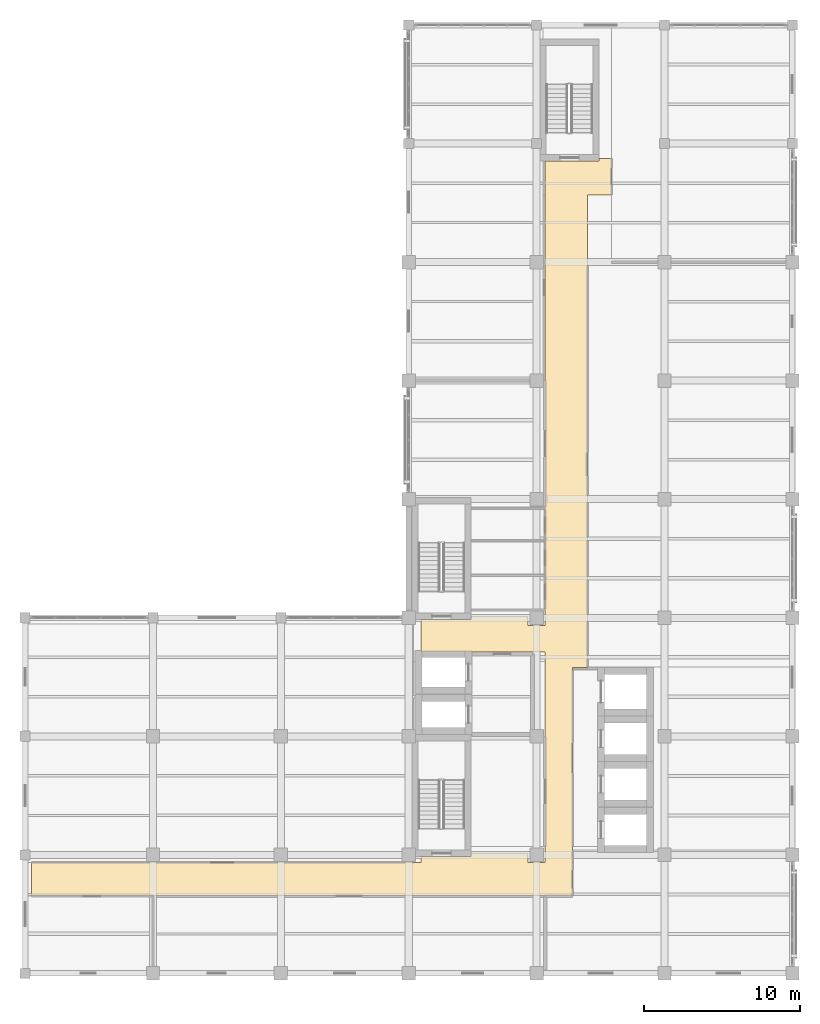
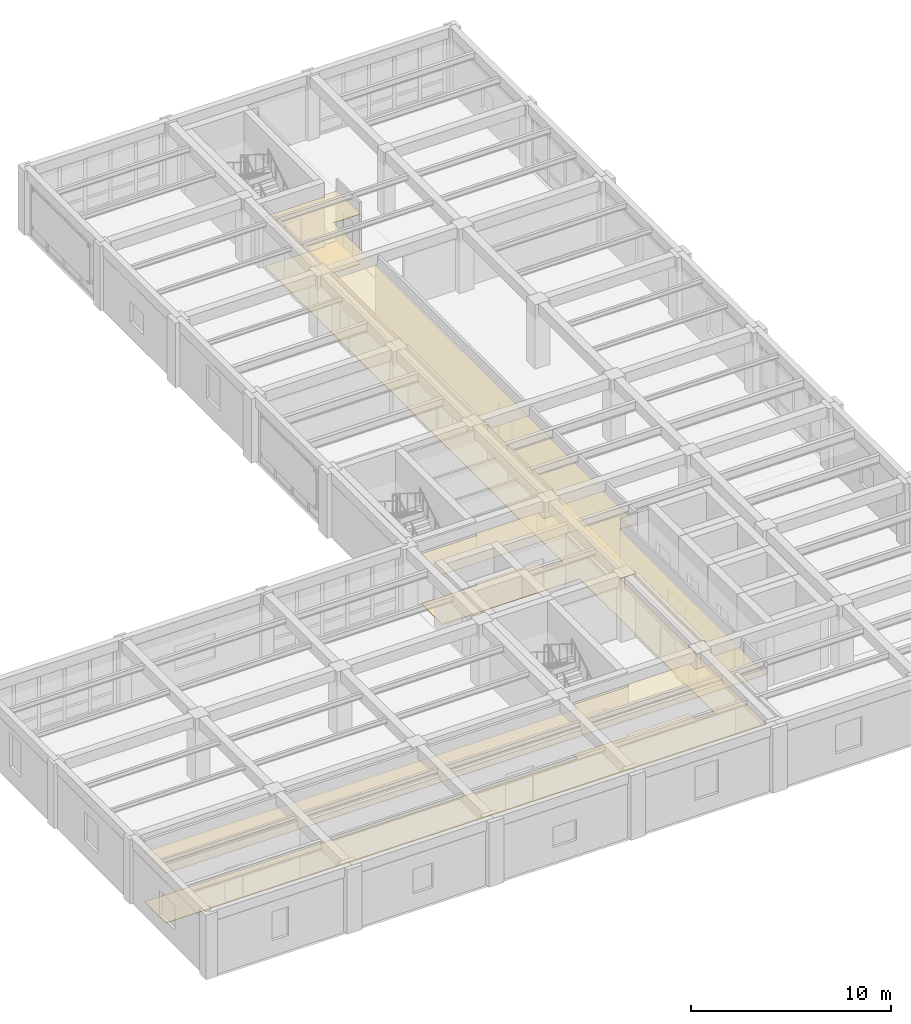
# One storey, part 14 of 17: 2 coverings.
"""IFC4 building model written with IfcOpenShell, lengths in metres."""

from ifc_helpers import new_model, si_unit, direction, frame, origin, place, context, subcontext, project, spatial, polyline, outline, extrude, material, layer, layer_set, type_object, element, save


model = new_model("IFC4")

# Units and contexts
model_context = context("Model", 3, precision=1e-05, world=origin(), true_north=direction((0.0, 1.0)))
body_context = subcontext(model_context, "Body", "Model", "MODEL_VIEW")
ifc_project = project(units=[si_unit("LENGTHUNIT", "METRE"), si_unit("AREAUNIT", "SQUARE_METRE"), si_unit("VOLUMEUNIT", "CUBIC_METRE"), si_unit("PLANEANGLEUNIT", "RADIAN"), si_unit("MASSUNIT", "GRAM", prefix="KILO")], contexts=[model_context])

# Site, building, storey
site_placement = place(None, origin())
site = spatial("IfcSite", under=ifc_project, at=site_placement, CompositionType="ELEMENT")
building_placement = place(site_placement, origin())
building = spatial("IfcBuilding", under=site, at=building_placement, Name="Qandaris Square Conservatory and Botanical Centre", CompositionType="ELEMENT")
storey_placement = place(building_placement, frame((0.0, 0.0, 28.199951171875)))
storey = spatial("IfcBuildingStorey", under=building, at=storey_placement, Name="L06", CompositionType="ELEMENT", Elevation=28.199951171875)

# Coverings
ifc_material_1 = material(Name="Honed Qatari Limestone", Category="masonry")
ifc_layer_1 = layer(ifc_material_1, 0.030029296875)
ifc_layer_set_1 = layer_set([ifc_layer_1], Name="Honed Qatari Limestone")
covering_type_1 = type_object("IfcCoveringType", Name="Honed Qatari Limestone Concourse Paving", PredefinedType="FLOORING", material=ifc_layer_set_1)
covering_1_placement = place(storey_placement, origin())
element("IfcCovering", 1, at=covering_1_placement, inside=storey, type_object=covering_type_1, Name="Main Circulation Corridor L06 Flooring", PredefinedType="FLOORING", context=body_context, shape_type="SweptSolid", body=[
    extrude(outline(polyline([(140.0, 24.10009765625), (143.199951171875, 24.10009765625), (143.199951171875, 24.280029296875), (146.85009765625, 24.280029296875), (146.85009765625, 23.699951171875), (147.949951171875, 23.699951171875), (147.949951171875, 24.75), (147.949951171875, 31.75), (147.949951171875, 36.199951171875), (147.949951171875, 37.199951171875), (140.0, 37.199951171875), (140.0, 38.89990234375), (140.0, 39.300048828125), (143.199951171875, 39.300048828125), (143.199951171875, 39.47998046875), (146.85009765625, 39.47998046875), (146.85009765625, 38.89990234375), (147.949951171875, 38.89990234375), (147.949951171875, 39.89990234375), (147.949951171875, 42.1201171875), (147.949951171875, 44.340087890625), (147.949951171875, 46.419921875), (147.949951171875, 66.5), (147.949951171875, 68.699951171875), (151.39990234375, 68.699951171875), (151.39990234375, 68.85009765625), (152.199951171875, 68.85009765625), (152.199951171875, 66.5), (150.64990234375, 66.5), (150.64990234375, 36.199951171875), (149.699951171875, 36.199951171875), (149.699951171875, 36.050048828125), (149.699951171875, 24.75), (149.699951171875, 23.699951171875), (149.699951171875, 21.550048828125), (147.949951171875, 21.550048828125), (115.0, 21.550048828125), (115.0, 23.699951171875), (140.0, 23.699951171875), (140.0, 24.10009765625)])), origin(), (0.0, 0.0, 1.0), 0.030029296875),
])
ifc_material_2 = material(Name="Gypsum Plasterboard", Category="gypsum")
ifc_layer_2 = layer(ifc_material_2, 0.02490234375)
ifc_layer_set_2 = layer_set([ifc_layer_2], Name="Gypsum Plasterboard")
covering_type_2 = type_object("IfcCoveringType", Name="Perforated Acoustic Lab Ceiling Tile", PredefinedType="CEILING", material=ifc_layer_set_2)
covering_2_placement = place(storey_placement, frame((0.0, 0.0, 3.050048828125)))
element("IfcCovering", 2, at=covering_2_placement, inside=storey, type_object=covering_type_2, Name="Main Circulation Corridor L06 Ceiling", PredefinedType="CEILING", context=body_context, shape_type="SweptSolid", body=[
    extrude(outline(polyline([(140.0, 24.10009765625), (143.199951171875, 24.10009765625), (143.199951171875, 24.280029296875), (146.85009765625, 24.280029296875), (146.85009765625, 23.699951171875), (147.949951171875, 23.699951171875), (147.949951171875, 24.75), (147.949951171875, 31.75), (147.949951171875, 36.199951171875), (147.949951171875, 37.199951171875), (140.0, 37.199951171875), (140.0, 38.89990234375), (140.0, 39.300048828125), (143.199951171875, 39.300048828125), (143.199951171875, 39.47998046875), (146.85009765625, 39.47998046875), (146.85009765625, 38.89990234375), (147.949951171875, 38.89990234375), (147.949951171875, 39.89990234375), (147.949951171875, 42.1201171875), (147.949951171875, 44.340087890625), (147.949951171875, 46.419921875), (147.949951171875, 66.5), (147.949951171875, 68.699951171875), (151.39990234375, 68.699951171875), (151.39990234375, 68.85009765625), (152.199951171875, 68.85009765625), (152.199951171875, 66.5), (150.64990234375, 66.5), (150.64990234375, 36.199951171875), (149.699951171875, 36.199951171875), (149.699951171875, 36.050048828125), (149.699951171875, 24.75), (149.699951171875, 23.699951171875), (149.699951171875, 21.550048828125), (147.949951171875, 21.550048828125), (115.0, 21.550048828125), (115.0, 23.699951171875), (140.0, 23.699951171875), (140.0, 24.10009765625)])), origin(), (0.0, 0.0, 1.0), 0.02490234375),
])

save(model, "model.ifc")
